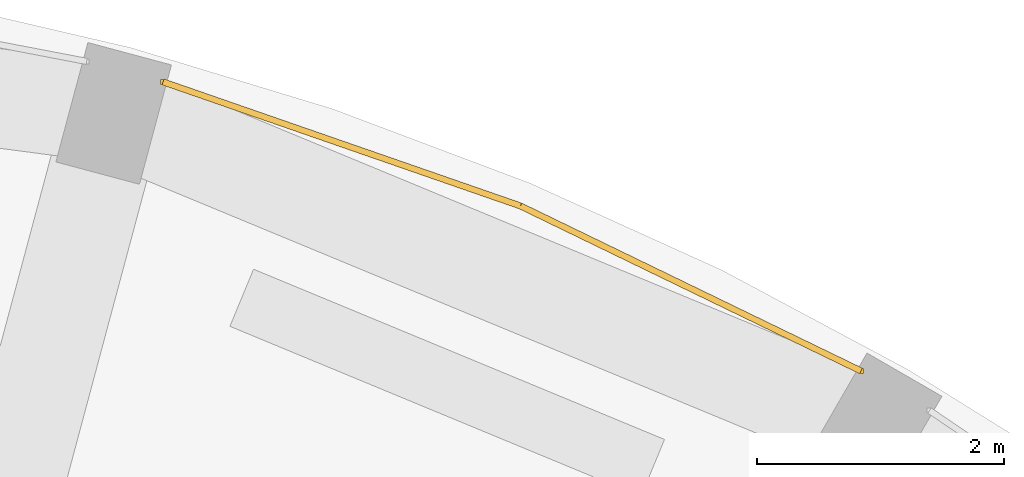
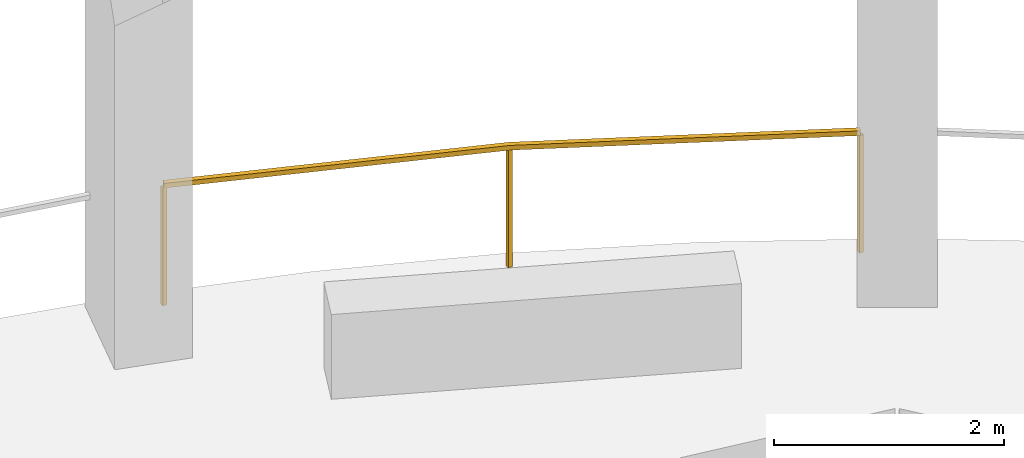
# One storey, part 9 of 9: 1 railing.
"""IFC4 building model written with IfcOpenShell, lengths in metres."""

from ifc_helpers import new_model, si_unit, direction, frame, origin, origin_2d, place, context, subcontext, project, spatial, rectangle, extrude, material, type_object, element, save


model = new_model("IFC4")

# Units and contexts
model_context = context("Model", 3, precision=1e-05, world=origin(), true_north=direction((0.0, 1.0)))
body_context = subcontext(model_context, "Body", "Model", "MODEL_VIEW")
ifc_project = project(units=[si_unit("LENGTHUNIT", "METRE"), si_unit("AREAUNIT", "SQUARE_METRE"), si_unit("VOLUMEUNIT", "CUBIC_METRE"), si_unit("PLANEANGLEUNIT", "RADIAN"), si_unit("MASSUNIT", "GRAM", prefix="KILO")], contexts=[model_context])

# Site, building, storey
site_placement = place(None, origin())
site = spatial("IfcSite", under=ifc_project, at=site_placement, CompositionType="ELEMENT")
building_placement = place(site_placement, origin())
building = spatial("IfcBuilding", under=site, at=building_placement, Name="Torre Triforio", CompositionType="ELEMENT")
storey_placement = place(building_placement, frame((0.0, 0.0, 102.60009765625)))
storey = spatial("IfcBuildingStorey", under=building, at=storey_placement, Name="L22", CompositionType="ELEMENT", Elevation=102.60009765625)

# Railing
ifc_material = material(Name="Stainless steel AISI 316", Category="steel")
railing_type = type_object("IfcRailingType", Name="Loggia guard 1300", PredefinedType="GUARDRAIL", material=ifc_material)
railing_placement = place(storey_placement, frame((12.64794921875, 22.546875, 0.0)))
element("IfcRailing", 1, at=railing_placement, inside=storey, type_object=railing_type, Name="Loggia guard L22 bay 05", PredefinedType="GUARDRAIL", context=body_context, shape_type="SweptSolid", body=[
    extrude(rectangle(XDim=0.050048828125, YDim=0.050048828125, at=origin_2d()), frame((0.0, 0.0, 1.27490234375), z_axis=(-0.899891864914, 0.436113094806, 0.0), x_axis=(-0.436113094806, -0.899891864914, 0.0)), (0.0, 0.0, 1.0), 3.062255859375),
    extrude(rectangle(XDim=0.050048828125, YDim=0.050048828125, at=origin_2d()), frame((-2.755615234375, 1.33544921875, 1.27490234375), z_axis=(-0.944704198295, 0.327923737665, 0.0), x_axis=(-0.327923737665, -0.944704198295, 0.0)), (0.0, 0.0, 1.0), 3.062255859375),
    extrude(rectangle(XDim=0.0400390625, YDim=0.0400390625, at=origin_2d()), origin(), (0.0, 0.0, 1.0), 1.25),
    extrude(rectangle(XDim=0.0400390625, YDim=0.0400390625, at=origin_2d()), frame((-2.755615234375, 1.33544921875, 0.0)), (0.0, 0.0, 1.0), 1.25),
    extrude(rectangle(XDim=0.0400390625, YDim=0.0400390625, at=origin_2d()), frame((-5.6484375, 2.339599609375, 0.0)), (0.0, 0.0, 1.0), 1.25),
])

save(model, "model.ifc")
